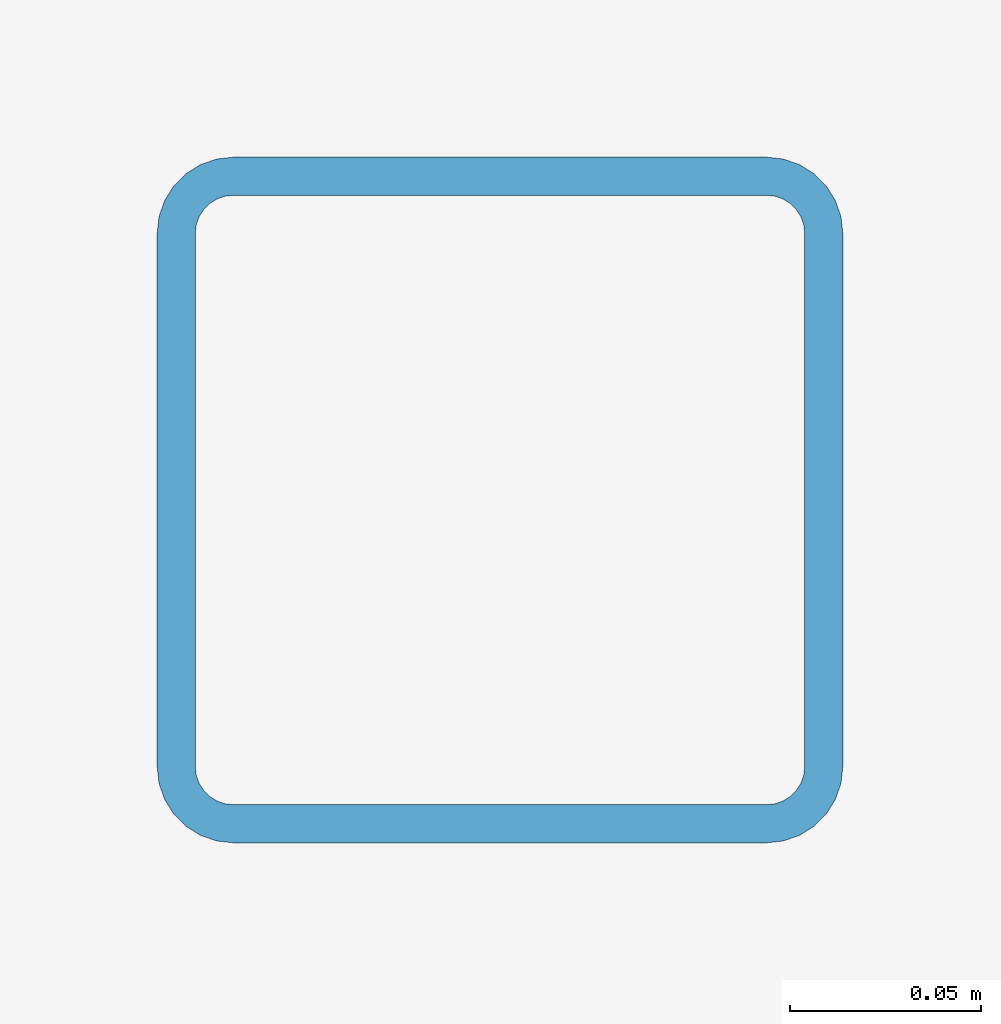
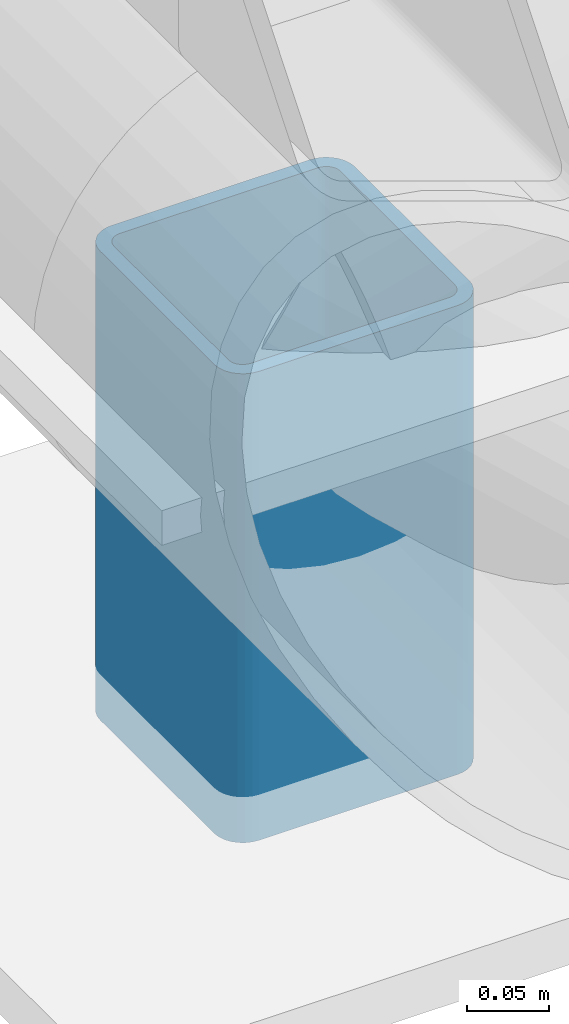
# One storey, part 35 of 60: 1 member.
"""IFC4 building model written with IfcOpenShell, lengths in metres."""

from ifc_helpers import new_model, si_unit, direction, frame, origin, origin_2d, place, context, subcontext, project, spatial, hollow_rectangle, extrude, material, material_profile, profile_set, type_object, element, save


model = new_model("IFC4")

# Units and contexts
model_context = context("Model", 3, precision=1e-05, world=origin(), true_north=direction((0.0, 1.0)))
body_context = subcontext(model_context, "Body", "Model", "MODEL_VIEW")
ifc_project = project(units=[si_unit("LENGTHUNIT", "METRE"), si_unit("AREAUNIT", "SQUARE_METRE"), si_unit("VOLUMEUNIT", "CUBIC_METRE"), si_unit("PLANEANGLEUNIT", "RADIAN"), si_unit("MASSUNIT", "GRAM", prefix="KILO")], contexts=[model_context])

# Site, building, storey
site_placement = place(None, origin())
site = spatial("IfcSite", under=ifc_project, at=site_placement, CompositionType="ELEMENT")
building_placement = place(site_placement, origin())
building = spatial("IfcBuilding", under=site, at=building_placement, Name="Nakhvara Creek Congress Hotel", CompositionType="ELEMENT")
storey_placement = place(building_placement, frame((0.0, 0.0, 54.60009765625)))
storey = spatial("IfcBuildingStorey", under=building, at=storey_placement, Name="RL1", CompositionType="ELEMENT", Elevation=54.60009765625)

# Member
ifc_material = material(Name="Steel S355J2H", Category="steel")
ifc_material_profile = material_profile(ifc_material, hollow_rectangle(XDim=0.179931640625, YDim=0.179931640625, WallThickness=0.010009765625, InnerFilletRadius=0.010009765625, OuterFilletRadius=0.02001953125, at=origin_2d()), Name="SHS 180x180x10.0", Category="LoadBearing")
ifc_profile_set = profile_set([ifc_material_profile], Name="Steel S355J2H")
member_type = type_object("IfcMemberType", Name="MEM-STR-SHS180", PredefinedType="STRUT", material=ifc_profile_set)
member_placement = place(storey_placement, frame((9.14990234375, 62.39990234375, -35.400146484375), z_axis=(0.0, 0.0, 1.0), x_axis=(1.0, 0.0, 0.0)))
element("IfcMember", 1, at=member_placement, inside=storey, type_object=member_type, Name="Congress Roof Truss Bearing Strut 055", PredefinedType="STRUT", context=body_context, shape_type="SweptSolid", body=[
    extrude(hollow_rectangle(XDim=0.179931640625, YDim=0.179931640625, WallThickness=0.010009765625, InnerFilletRadius=0.010009765625, OuterFilletRadius=0.02001953125, at=origin_2d()), origin(), (0.0, 0.0, 1.0), 0.35009765625),
])

save(model, "model.ifc")
